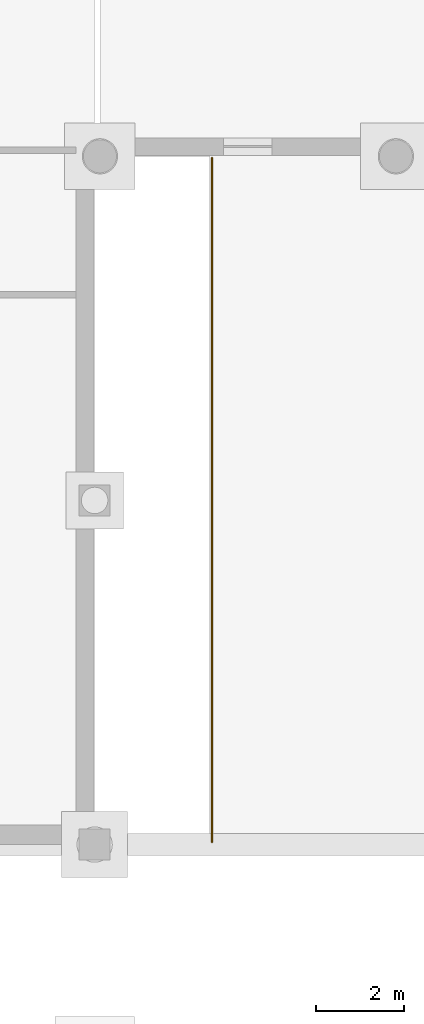
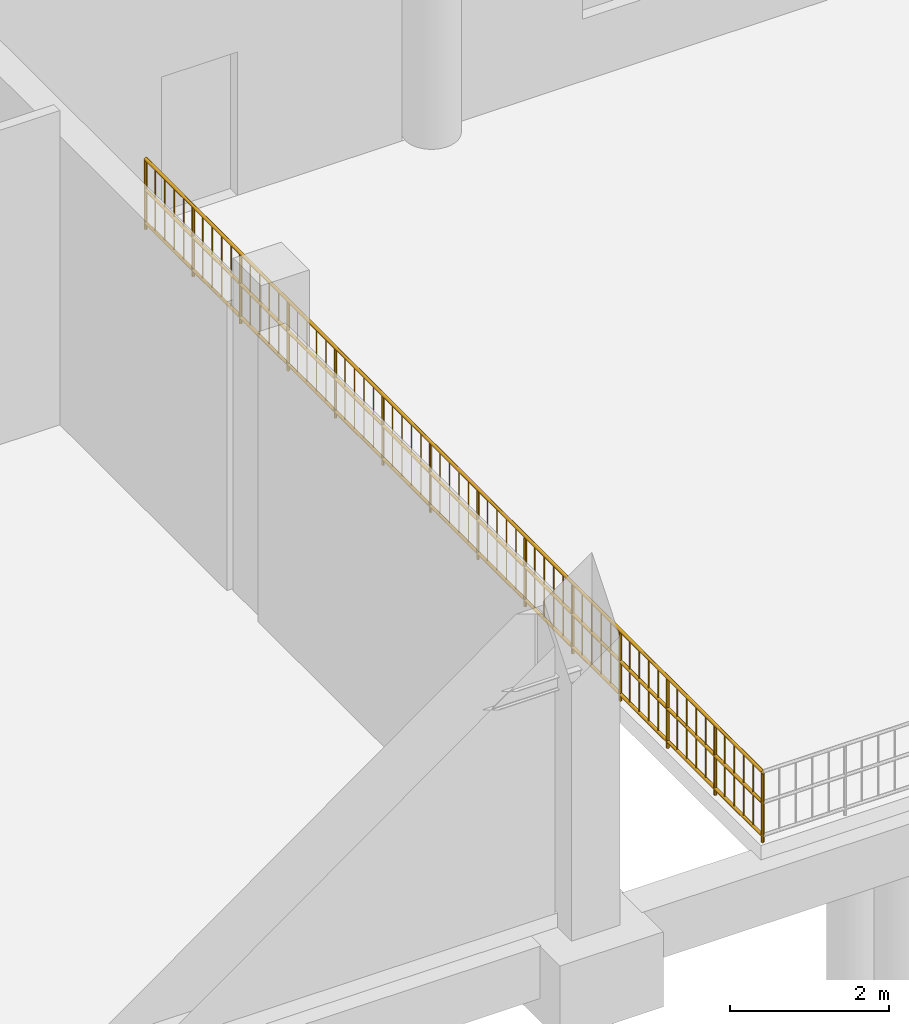
# One storey, part 40 of 48: 1 railing.
"""IFC4 building model written with IfcOpenShell, lengths in metres."""

import ifcopenshell
import ifcopenshell.guid

model = None  # the IFC model being written
_history = None  # IfcOwnerHistory: only IFC2X3 demands one
_inside = {}  # id of a spatial element -> (the spatial element, [elements in it])
_under = {}  # id of a project, library or spatial element -> (it, [spatial elements below it])
_declared = {}  # id of a project -> (the project, [libraries it declares])
_typed = {}  # id of a type object -> (the type object, [elements of that type])
_made_of = {}  # id of a material, layer set ... -> (it, [elements and type objects made of it])


def new_model(schema):
    """Start an empty IFC model of exactly this schema.

    Asked for "IFC4X3", IfcOpenShell would pick the latest addendum, in which some entities
    have other attributes; the version numbers below select the first issue.
    IFC2X3 requires an IfcOwnerHistory on every rooted entity: one is made here for all.
    """
    global model, _history
    if schema == "IFC4X3":
        model = ifcopenshell.file(schema_version=(4, 3, 0, 0))
    else:
        model = ifcopenshell.file(schema=schema)
    _inside.clear()
    _under.clear()
    _declared.clear()
    _typed.clear()
    _made_of.clear()
    _history = None
    if model.schema == "IFC2X3":
        org = make("IfcOrganization", Name="unknown")
        user = make(
            "IfcPersonAndOrganization",
            ThePerson=make("IfcPerson", FamilyName="unknown"),
            TheOrganization=org,
        )
        app = make(
            "IfcApplication",
            ApplicationDeveloper=org,
            Version="unknown",
            ApplicationFullName="unknown",
            ApplicationIdentifier="unknown",
        )
        _history = make(
            "IfcOwnerHistory",
            OwningUser=user,
            OwningApplication=app,
            ChangeAction="ADDED",
            CreationDate=0,
        )
    return model


def make(cls, **values):
    """One entity of the class cls with the attributes given. An attribute that is None is left unset."""
    return model.create_entity(
        cls, **{name: value for name, value in values.items() if value is not None}
    )


def rooted(cls, **values):
    """An entity with a GlobalId (a new one), such as an element, a storey or a relation."""
    return make(cls, GlobalId=ifcopenshell.guid.new(), OwnerHistory=_history, **values)


def si_unit(unit_type, name, prefix=None):
    """IfcSIUnit, for example si_unit("LENGTHUNIT", "METRE", prefix="MILLI")."""
    return make("IfcSIUnit", UnitType=unit_type, Prefix=prefix, Name=name)


def assignment(units):
    """IfcUnitAssignment: the units of a project."""
    return None if units is None else make("IfcUnitAssignment", Units=units)


def point(xyz):
    """IfcCartesianPoint."""
    return None if xyz is None else make("IfcCartesianPoint", Coordinates=xyz)


def direction(xyz):
    """IfcDirection."""
    return None if xyz is None else make("IfcDirection", DirectionRatios=xyz)


def frame(location, z_axis=None, x_axis=None):
    """IfcAxis2Placement3D, a coordinate frame: its origin and axes. An axis left out is left unset."""
    return make(
        "IfcAxis2Placement3D",
        Location=point(location),
        Axis=direction(z_axis),
        RefDirection=direction(x_axis),
    )


def frame_2d(location, x_axis=None):
    """IfcAxis2Placement2D, a coordinate frame in the plane: its origin and x axis."""
    return make(
        "IfcAxis2Placement2D", Location=point(location), RefDirection=direction(x_axis)
    )


def origin():
    """The frame at (0, 0, 0) with its axes left unset."""
    return frame((0.0, 0.0, 0.0))


def origin_2d():
    """The frame at (0, 0) in the plane with its x axis left unset."""
    return frame_2d((0.0, 0.0))


def place(relative_to, where):
    """IfcLocalPlacement: puts the frame where relative to a parent placement (None: the world)."""
    return make(
        "IfcLocalPlacement", PlacementRelTo=relative_to, RelativePlacement=where
    )


def context(
    kind, dimensions, precision=None, world=None, true_north=None, identifier=None
):
    """IfcGeometricRepresentationContext, for example the 3D "Model" context."""
    return make(
        "IfcGeometricRepresentationContext",
        ContextIdentifier=identifier,
        ContextType=kind,
        CoordinateSpaceDimension=dimensions,
        Precision=precision,
        WorldCoordinateSystem=world,
        TrueNorth=true_north,
    )


def subcontext(parent, identifier, kind, view, scale=None):
    """IfcGeometricRepresentationSubContext, for example "Body" below "Model"."""
    return make(
        "IfcGeometricRepresentationSubContext",
        ContextIdentifier=identifier,
        ContextType=kind,
        ParentContext=parent,
        TargetScale=scale,
        TargetView=view,
    )


def project(units=None, contexts=None):
    """IfcProject with its units and contexts."""
    return rooted(
        "IfcProject",
        Name="project",
        RepresentationContexts=contexts,
        UnitsInContext=assignment(units),
    )


def spatial(cls, under=None, at=None, **own):
    """A site, building, storey or space (cls), placed at a placement, below another one or the project."""
    s = rooted(cls, ObjectPlacement=at, **own)
    if under is not None:
        _under.setdefault(under.id(), (under, []))[1].append(s)
    return s


def profile(cls, at=None, kind="AREA", **sizes):
    """A parametric profile (cls). Its sizes go by their IFC names, for example OverallWidth=200.0."""
    return make(cls, ProfileType=kind, Position=at, **sizes)


def circle(**sizes):
    """IfcCircleProfileDef."""
    return profile("IfcCircleProfileDef", **sizes)


def extrude(swept, where, along, depth):
    """IfcExtrudedAreaSolid: the profile swept, set in the frame where, extruded along a direction by depth."""
    return make(
        "IfcExtrudedAreaSolid",
        SweptArea=swept,
        Position=where,
        ExtrudedDirection=direction(along),
        Depth=depth,
    )


def shape(context_of_items, identifier, shape_type, items):
    """IfcShapeRepresentation: the items that make up one representation, for example the "Body"."""
    return make(
        "IfcShapeRepresentation",
        ContextOfItems=context_of_items,
        RepresentationIdentifier=identifier,
        RepresentationType=shape_type,
        Items=items,
    )


def material(Name=None, Category=None):
    """IfcMaterial."""
    return make("IfcMaterial", Name=Name, Category=Category)


def layer(
    of_material, thickness, ventilated=None, Name=None, Category=None, Priority=None
):
    """IfcMaterialLayer: one layer of a wall or slab, of a material (None: an air gap)."""
    return make(
        "IfcMaterialLayer",
        Material=of_material,
        LayerThickness=thickness,
        IsVentilated=ventilated,
        Name=Name,
        Category=Category,
        Priority=Priority,
    )


def layer_set(layers, Name=None):
    """IfcMaterialLayerSet."""
    return make("IfcMaterialLayerSet", MaterialLayers=layers, LayerSetName=Name)


def made_of(thing, what):
    """Note that an element or type object is made of a material, layer set ...; save() writes the relation."""
    if what is not None:
        _made_of.setdefault(what.id(), (what, []))[1].append(thing)
    return thing


def type_object(cls, material=None, **own):
    """A type object (cls), such as IfcWallType, which elements share."""
    return made_of(rooted(cls, **own), material)


def element(
    cls,
    number,
    at=None,
    inside=None,
    cuts=None,
    type_object=None,
    material=None,
    context=None,
    identifier="Body",
    shape_type=None,
    held_by="IfcProductDefinitionShape",
    body=None,
    shapes=None,
    **own,
):
    """One element of the class cls, such as IfcWall. Its Tag is "e" and its number.

    at: its placement. inside: the storey or other place that contains it. cuts: it is an
    opening in that element (IfcRelVoidsElement). A single representation is given by context,
    identifier, shape_type and body (its items); several are given by shapes. held_by: the class
    of the entity that holds the representations. save() writes the other relations.
    """
    e = rooted(cls, Tag="e%d" % number, ObjectPlacement=at, **own)
    if body is not None:
        shapes = [shape(context, identifier, shape_type, body)]
    if shapes is not None:
        e.Representation = make(held_by, Representations=shapes)
    if inside is not None:
        _inside.setdefault(inside.id(), (inside, []))[1].append(e)
    if cuts is not None:
        rooted(
            "IfcRelVoidsElement", RelatingBuildingElement=cuts, RelatedOpeningElement=e
        )
    if type_object is not None:
        _typed.setdefault(type_object.id(), (type_object, []))[1].append(e)
    return made_of(e, material)


def aggregate(whole, parts):
    """IfcRelAggregates: a whole, such as a stair, and the parts it consists of."""
    return rooted("IfcRelAggregates", RelatingObject=whole, RelatedObjects=parts)


def save(model, path):
    """Write the relations noted so far, then the file.

    IfcRelAggregates (storeys below a building ...), IfcRelContainedInSpatialStructure (elements
    in a storey), IfcRelDefinesByType, IfcRelAssociatesMaterial and IfcRelDeclares: one each for
    every whole, place, type object, material and project.
    """
    for whole, parts in _under.values():
        aggregate(whole, parts)
    for where, things in _inside.values():
        rooted(
            "IfcRelContainedInSpatialStructure",
            RelatedElements=things,
            RelatingStructure=where,
        )
    for kind, things in _typed.values():
        rooted("IfcRelDefinesByType", RelatedObjects=things, RelatingType=kind)
    for what, things in _made_of.values():
        rooted("IfcRelAssociatesMaterial", RelatedObjects=things, RelatingMaterial=what)
    for by, libraries in _declared.values():
        rooted("IfcRelDeclares", RelatingContext=by, RelatedDefinitions=libraries)
    model.write(path)


model = new_model("IFC4")

# Units and contexts
model_context = context("Model", 3, precision=1e-05, world=origin(), true_north=direction((0.0, 1.0)))
body_context = subcontext(model_context, "Body", "Model", "MODEL_VIEW")
ifc_project = project(units=[si_unit("LENGTHUNIT", "METRE"), si_unit("AREAUNIT", "SQUARE_METRE"), si_unit("VOLUMEUNIT", "CUBIC_METRE"), si_unit("PLANEANGLEUNIT", "RADIAN"), si_unit("MASSUNIT", "GRAM", prefix="KILO")], contexts=[model_context])

# Site, building, storey
site_placement = place(None, origin())
site = spatial("IfcSite", under=ifc_project, at=site_placement, CompositionType="ELEMENT")
building_placement = place(site_placement, origin())
building = spatial("IfcBuilding", under=site, at=building_placement, Name="Nabrawat Pavilion Hospital", CompositionType="ELEMENT")
storey_placement = place(building_placement, frame((0.0, 0.0, -5.10009765625)))
storey = spatial("IfcBuildingStorey", under=building, at=storey_placement, Name="B1", CompositionType="ELEMENT", Elevation=-5.10009765625)

# Railing
ifc_material = material(Name="Stainless Steel 316", Category="steel")
ifc_layer = layer(ifc_material, 0.070068359375, Name="Stainless Steel 316")
ifc_layer_set = layer_set([ifc_layer], Name="Stainless Steel 316")
railing_type = type_object("IfcRailingType", Name="Exterior Clinical Terrace Safety Guardrail 1100", PredefinedType="GUARDRAIL", material=ifc_layer_set)
railing_placement = place(storey_placement, frame((61.4599609375, 0.06005859375, 0.0)))
element("IfcRailing", 1, at=railing_placement, inside=storey, type_object=railing_type, Name="B1 Terrace Edge Safety Guardrail T_B1_METRO_FORECOURT West", PredefinedType="GUARDRAIL", context=body_context, shape_type="SweptSolid", body=[
    extrude(circle(Radius=0.02392578125, at=origin_2d()), frame((0.0, 0.0, 1.076171875), z_axis=(0.0, 1.0, 0.0), x_axis=(-1.0, 0.0, 0.0)), (0.0, 0.0, 1.0), 15.5),
    extrude(circle(Radius=0.02392578125, at=origin_2d()), frame((0.0, 0.0, 0.10009765625), z_axis=(0.0, 1.0, 0.0), x_axis=(-1.0, 0.0, 0.0)), (0.0, 0.0, 1.0), 15.5),
    extrude(circle(Radius=0.02392578125, at=origin_2d()), frame((0.0, 0.0, 0.60498046875), z_axis=(0.0, 1.0, 0.0), x_axis=(-1.0, 0.0, 0.0)), (0.0, 0.0, 1.0), 15.5),
    extrude(circle(Radius=0.008056640625, at=origin_2d()), frame((0.0, 0.238525390625, 0.10009765625)), (0.0, 0.0, 1.0), 0.951904296875),
    extrude(circle(Radius=0.008056640625, at=origin_2d()), frame((0.0, 0.476806640625, 0.10009765625)), (0.0, 0.0, 1.0), 0.951904296875),
    extrude(circle(Radius=0.008056640625, at=origin_2d()), frame((0.0, 0.71533203125, 0.10009765625)), (0.0, 0.0, 1.0), 0.951904296875),
    extrude(circle(Radius=0.008056640625, at=origin_2d()), frame((0.0, 0.953857421875, 0.10009765625)), (0.0, 0.0, 1.0), 0.951904296875),
    extrude(circle(Radius=0.008056640625, at=origin_2d()), frame((0.0, 1.4306640625, 0.10009765625)), (0.0, 0.0, 1.0), 0.951904296875),
    extrude(circle(Radius=0.008056640625, at=origin_2d()), frame((0.0, 1.669189453125, 0.10009765625)), (0.0, 0.0, 1.0), 0.951904296875),
    extrude(circle(Radius=0.008056640625, at=origin_2d()), frame((0.0, 1.90771484375, 0.10009765625)), (0.0, 0.0, 1.0), 0.951904296875),
    extrude(circle(Radius=0.008056640625, at=origin_2d()), frame((0.0, 2.146240234375, 0.10009765625)), (0.0, 0.0, 1.0), 0.951904296875),
    extrude(circle(Radius=0.008056640625, at=origin_2d()), frame((0.0, 2.623046875, 0.10009765625)), (0.0, 0.0, 1.0), 0.951904296875),
    extrude(circle(Radius=0.008056640625, at=origin_2d()), frame((0.0, 2.861572265625, 0.10009765625)), (0.0, 0.0, 1.0), 0.951904296875),
    extrude(circle(Radius=0.008056640625, at=origin_2d()), frame((0.0, 3.10009765625, 0.10009765625)), (0.0, 0.0, 1.0), 0.951904296875),
    extrude(circle(Radius=0.008056640625, at=origin_2d()), frame((0.0, 3.33837890625, 0.10009765625)), (0.0, 0.0, 1.0), 0.951904296875),
    extrude(circle(Radius=0.008056640625, at=origin_2d()), frame((0.0, 3.8154296875, 0.10009765625)), (0.0, 0.0, 1.0), 0.951904296875),
    extrude(circle(Radius=0.008056640625, at=origin_2d()), frame((0.0, 4.053955078125, 0.10009765625)), (0.0, 0.0, 1.0), 0.951904296875),
    extrude(circle(Radius=0.008056640625, at=origin_2d()), frame((0.0, 4.292236328125, 0.10009765625)), (0.0, 0.0, 1.0), 0.951904296875),
    extrude(circle(Radius=0.008056640625, at=origin_2d()), frame((0.0, 4.53076171875, 0.10009765625)), (0.0, 0.0, 1.0), 0.951904296875),
    extrude(circle(Radius=0.008056640625, at=origin_2d()), frame((0.0, 5.0078125, 0.10009765625)), (0.0, 0.0, 1.0), 0.951904296875),
    extrude(circle(Radius=0.008056640625, at=origin_2d()), frame((0.0, 5.24609375, 0.10009765625)), (0.0, 0.0, 1.0), 0.951904296875),
    extrude(circle(Radius=0.008056640625, at=origin_2d()), frame((0.0, 5.484619140625, 0.10009765625)), (0.0, 0.0, 1.0), 0.951904296875),
    extrude(circle(Radius=0.008056640625, at=origin_2d()), frame((0.0, 5.72314453125, 0.10009765625)), (0.0, 0.0, 1.0), 0.951904296875),
    extrude(circle(Radius=0.008056640625, at=origin_2d()), frame((0.0, 6.199951171875, 0.10009765625)), (0.0, 0.0, 1.0), 0.951904296875),
    extrude(circle(Radius=0.008056640625, at=origin_2d()), frame((0.0, 6.4384765625, 0.10009765625)), (0.0, 0.0, 1.0), 0.951904296875),
    extrude(circle(Radius=0.008056640625, at=origin_2d()), frame((0.0, 6.677001953125, 0.10009765625)), (0.0, 0.0, 1.0), 0.951904296875),
    extrude(circle(Radius=0.008056640625, at=origin_2d()), frame((0.0, 6.915283203125, 0.10009765625)), (0.0, 0.0, 1.0), 0.951904296875),
    extrude(circle(Radius=0.008056640625, at=origin_2d()), frame((0.0, 7.392333984375, 0.10009765625)), (0.0, 0.0, 1.0), 0.951904296875),
    extrude(circle(Radius=0.008056640625, at=origin_2d()), frame((0.0, 7.630859375, 0.10009765625)), (0.0, 0.0, 1.0), 0.951904296875),
    extrude(circle(Radius=0.008056640625, at=origin_2d()), frame((0.0, 7.869140625, 0.10009765625)), (0.0, 0.0, 1.0), 0.951904296875),
    extrude(circle(Radius=0.008056640625, at=origin_2d()), frame((0.0, 8.107666015625, 0.10009765625)), (0.0, 0.0, 1.0), 0.951904296875),
    extrude(circle(Radius=0.008056640625, at=origin_2d()), frame((0.0, 8.584716796875, 0.10009765625)), (0.0, 0.0, 1.0), 0.951904296875),
    extrude(circle(Radius=0.008056640625, at=origin_2d()), frame((0.0, 8.822998046875, 0.10009765625)), (0.0, 0.0, 1.0), 0.951904296875),
    extrude(circle(Radius=0.008056640625, at=origin_2d()), frame((0.0, 9.0615234375, 0.10009765625)), (0.0, 0.0, 1.0), 0.951904296875),
    extrude(circle(Radius=0.008056640625, at=origin_2d()), frame((0.0, 9.300048828125, 0.10009765625)), (0.0, 0.0, 1.0), 0.951904296875),
    extrude(circle(Radius=0.008056640625, at=origin_2d()), frame((0.0, 9.77685546875, 0.10009765625)), (0.0, 0.0, 1.0), 0.951904296875),
    extrude(circle(Radius=0.008056640625, at=origin_2d()), frame((0.0, 10.015380859375, 0.10009765625)), (0.0, 0.0, 1.0), 0.951904296875),
    extrude(circle(Radius=0.008056640625, at=origin_2d()), frame((0.0, 10.25390625, 0.10009765625)), (0.0, 0.0, 1.0), 0.951904296875),
    extrude(circle(Radius=0.008056640625, at=origin_2d()), frame((0.0, 10.4921875, 0.10009765625)), (0.0, 0.0, 1.0), 0.951904296875),
    extrude(circle(Radius=0.008056640625, at=origin_2d()), frame((0.0, 10.96923828125, 0.10009765625)), (0.0, 0.0, 1.0), 0.951904296875),
    extrude(circle(Radius=0.008056640625, at=origin_2d()), frame((0.0, 11.207763671875, 0.10009765625)), (0.0, 0.0, 1.0), 0.951904296875),
    extrude(circle(Radius=0.008056640625, at=origin_2d()), frame((0.0, 11.446044921875, 0.10009765625)), (0.0, 0.0, 1.0), 0.951904296875),
    extrude(circle(Radius=0.008056640625, at=origin_2d()), frame((0.0, 11.6845703125, 0.10009765625)), (0.0, 0.0, 1.0), 0.951904296875),
    extrude(circle(Radius=0.008056640625, at=origin_2d()), frame((0.0, 12.16162109375, 0.10009765625)), (0.0, 0.0, 1.0), 0.951904296875),
    extrude(circle(Radius=0.008056640625, at=origin_2d()), frame((0.0, 12.39990234375, 0.10009765625)), (0.0, 0.0, 1.0), 0.951904296875),
    extrude(circle(Radius=0.008056640625, at=origin_2d()), frame((0.0, 12.638427734375, 0.10009765625)), (0.0, 0.0, 1.0), 0.951904296875),
    extrude(circle(Radius=0.008056640625, at=origin_2d()), frame((0.0, 12.876953125, 0.10009765625)), (0.0, 0.0, 1.0), 0.951904296875),
    extrude(circle(Radius=0.008056640625, at=origin_2d()), frame((0.0, 13.353759765625, 0.10009765625)), (0.0, 0.0, 1.0), 0.951904296875),
    extrude(circle(Radius=0.008056640625, at=origin_2d()), frame((0.0, 13.59228515625, 0.10009765625)), (0.0, 0.0, 1.0), 0.951904296875),
    extrude(circle(Radius=0.008056640625, at=origin_2d()), frame((0.0, 13.830810546875, 0.10009765625)), (0.0, 0.0, 1.0), 0.951904296875),
    extrude(circle(Radius=0.008056640625, at=origin_2d()), frame((0.0, 14.0693359375, 0.10009765625)), (0.0, 0.0, 1.0), 0.951904296875),
    extrude(circle(Radius=0.008056640625, at=origin_2d()), frame((0.0, 14.546142578125, 0.10009765625)), (0.0, 0.0, 1.0), 0.951904296875),
    extrude(circle(Radius=0.008056640625, at=origin_2d()), frame((0.0, 14.78466796875, 0.10009765625)), (0.0, 0.0, 1.0), 0.951904296875),
    extrude(circle(Radius=0.008056640625, at=origin_2d()), frame((0.0, 15.023193359375, 0.10009765625)), (0.0, 0.0, 1.0), 0.951904296875),
    extrude(circle(Radius=0.008056640625, at=origin_2d()), frame((0.0, 15.261474609375, 0.10009765625)), (0.0, 0.0, 1.0), 0.951904296875),
    extrude(circle(Radius=0.02099609375, at=origin_2d()), origin(), (0.0, 0.0, 1.0), 1.052001953125),
    extrude(circle(Radius=0.02099609375, at=origin_2d()), frame((0.0, 1.1923828125, 0.0)), (0.0, 0.0, 1.0), 1.052001953125),
    extrude(circle(Radius=0.02099609375, at=origin_2d()), frame((0.0, 2.384521484375, 0.0)), (0.0, 0.0, 1.0), 1.052001953125),
    extrude(circle(Radius=0.02099609375, at=origin_2d()), frame((0.0, 3.576904296875, 0.0)), (0.0, 0.0, 1.0), 1.052001953125),
    extrude(circle(Radius=0.02099609375, at=origin_2d()), frame((0.0, 4.769287109375, 0.0)), (0.0, 0.0, 1.0), 1.052001953125),
    extrude(circle(Radius=0.02099609375, at=origin_2d()), frame((0.0, 5.96142578125, 0.0)), (0.0, 0.0, 1.0), 1.052001953125),
    extrude(circle(Radius=0.02099609375, at=origin_2d()), frame((0.0, 7.15380859375, 0.0)), (0.0, 0.0, 1.0), 1.052001953125),
    extrude(circle(Radius=0.02099609375, at=origin_2d()), frame((0.0, 8.34619140625, 0.0)), (0.0, 0.0, 1.0), 1.052001953125),
    extrude(circle(Radius=0.02099609375, at=origin_2d()), frame((0.0, 9.53857421875, 0.0)), (0.0, 0.0, 1.0), 1.052001953125),
    extrude(circle(Radius=0.02099609375, at=origin_2d()), frame((0.0, 10.730712890625, 0.0)), (0.0, 0.0, 1.0), 1.052001953125),
    extrude(circle(Radius=0.02099609375, at=origin_2d()), frame((0.0, 11.923095703125, 0.0)), (0.0, 0.0, 1.0), 1.052001953125),
    extrude(circle(Radius=0.02099609375, at=origin_2d()), frame((0.0, 13.115478515625, 0.0)), (0.0, 0.0, 1.0), 1.052001953125),
    extrude(circle(Radius=0.02099609375, at=origin_2d()), frame((0.0, 14.3076171875, 0.0)), (0.0, 0.0, 1.0), 1.052001953125),
    extrude(circle(Radius=0.02099609375, at=origin_2d()), frame((0.0, 15.5, 0.0)), (0.0, 0.0, 1.0), 1.052001953125),
])

save(model, "model.ifc")
